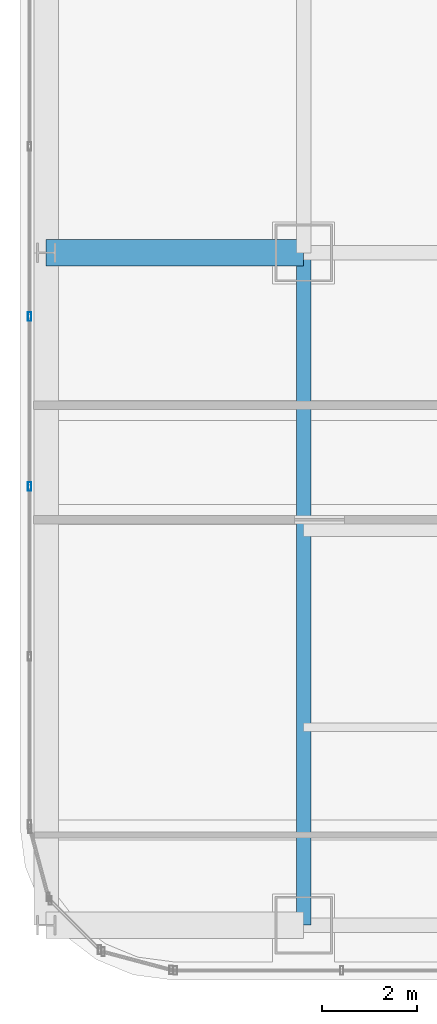
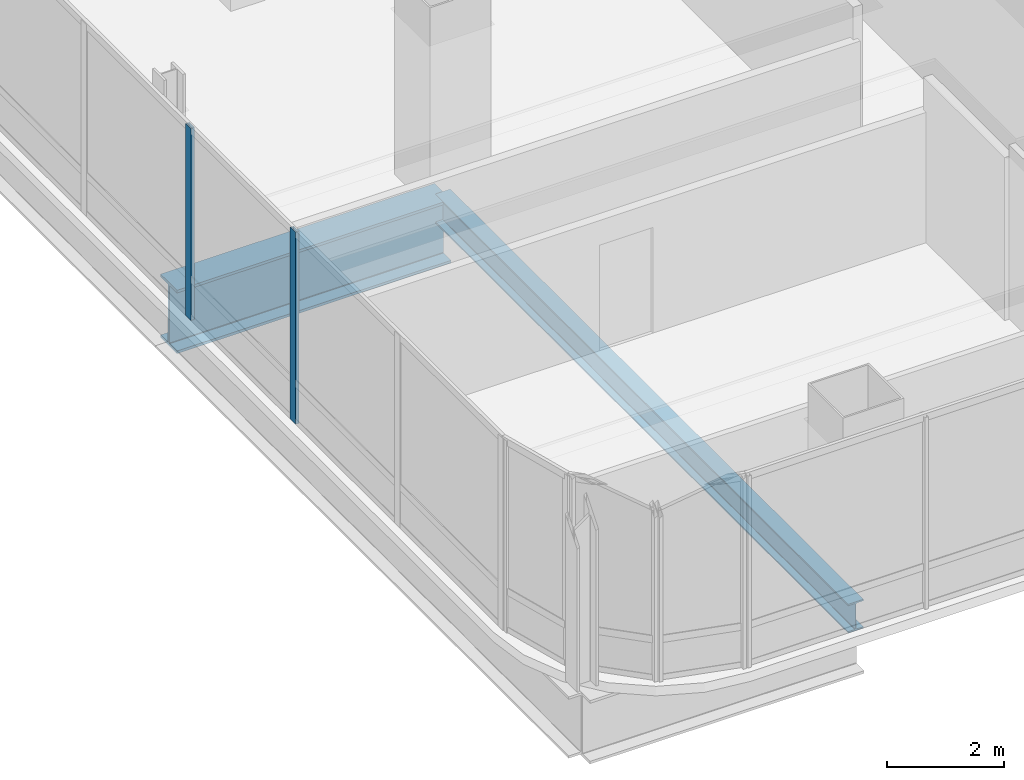
# One storey, part 5 of 41: 2 beams, 2 members, 1 element without a shape of its own.
"""IFC4 building model written with IfcOpenShell, lengths in metres."""

from ifc_helpers import new_model, si_unit, direction, frame, origin, origin_2d, place, context, subcontext, project, spatial, hollow_rectangle, i_section, extrude, material, material_profile, profile_set, type_object, element, aggregate, save


model = new_model("IFC4")

# Units and contexts
model_context = context("Model", 3, precision=1e-05, world=origin(), true_north=direction((0.0, 1.0)))
body_context = subcontext(model_context, "Body", "Model", "MODEL_VIEW")
ifc_project = project(units=[si_unit("LENGTHUNIT", "METRE"), si_unit("AREAUNIT", "SQUARE_METRE"), si_unit("VOLUMEUNIT", "CUBIC_METRE"), si_unit("PLANEANGLEUNIT", "RADIAN"), si_unit("MASSUNIT", "GRAM", prefix="KILO")], contexts=[model_context])

# Site, building, storey
site_placement = place(None, origin())
site = spatial("IfcSite", under=ifc_project, at=site_placement, CompositionType="ELEMENT")
building_placement = place(site_placement, origin())
building = spatial("IfcBuilding", under=site, at=building_placement, Name="Punatoya Terracotta Tower", CompositionType="ELEMENT")
storey_placement = place(building_placement, frame((0.0, 0.0, 288.0)))
storey = spatial("IfcBuildingStorey", under=building, at=storey_placement, Name="L68", CompositionType="ELEMENT", Elevation=288.0)

# Beams
ifc_material_1 = material(Name="Steel S355", Category="steel")
ifc_material_profile_1 = material_profile(ifc_material_1, i_section(OverallWidth=0.300048828125, OverallDepth=0.60009765625, WebThickness=0.015380859375, FlangeThickness=0.030029296875, FilletRadius=0.01806640625, at=origin_2d()))
ifc_profile_set_1 = profile_set([ifc_material_profile_1], Name="Steel S355")
beam_type_1 = type_object("IfcBeamType", Name="BM-PRI-600", PredefinedType="BEAM", material=ifc_profile_set_1)
beam_1_placement = place(storey_placement, frame((-19.10009765625, -17.5, -0.5), z_axis=(0.0, 1.0, 0.0), x_axis=(-1.0, 0.0, 0.0)))
element("IfcBeam", 1, at=beam_1_placement, inside=storey, type_object=beam_type_1, Name="BM-L68-RG-W1", PredefinedType="BEAM", context=body_context, shape_type="SweptSolid", body=[
    extrude(i_section(OverallWidth=0.300048828125, OverallDepth=0.60009765625, WebThickness=0.015380859375, FlangeThickness=0.030029296875, FilletRadius=0.01806640625, at=origin_2d()), origin(), (0.0, 0.0, 1.0), 14.10009765625),
])
ifc_material_2 = material(Name="Steel S460", Category="steel")
ifc_material_profile_2 = material_profile(ifc_material_2, i_section(OverallWidth=0.56005859375, OverallDepth=1.320068359375, WebThickness=0.035888671875, FlangeThickness=0.054931640625, FilletRadius=0.01806640625, at=origin_2d()))
ifc_profile_set_2 = profile_set([ifc_material_profile_2], Name="Steel S460")
beam_type_2 = type_object("IfcBeamType", Name="BM-TG-BLK", PredefinedType="BEAM", material=ifc_profile_set_2)
beam_2_placement = place(storey_placement, frame((-24.5, -3.39990234375, -0.860107421875), z_axis=(1.0, 0.0, 0.0), x_axis=(0.0, 1.0, 0.0)))
element("IfcBeam", 2, at=beam_2_placement, inside=storey, type_object=beam_type_2, Name="BM-L68-CANT-W2", PredefinedType="BEAM", context=body_context, shape_type="SweptSolid", body=[
    extrude(i_section(OverallWidth=0.56005859375, OverallDepth=1.320068359375, WebThickness=0.035888671875, FlangeThickness=0.054931640625, FilletRadius=0.01806640625, at=origin_2d()), origin(), (0.0, 0.0, 1.0), 5.39990234375),
])

# Curtain wall, members
ifc_material_3 = material(Name="Aluminium 6063-T6 + Double Low-E Glass", Category="aluminium")
curtain_wall_type = type_object("IfcCurtainWallType", Name="CW-M3", PredefinedType="NOTDEFINED", material=ifc_material_3)
curtain_wall_placement = place(storey_placement, origin())
curtain_wall = element("IfcCurtainWall", 3, at=curtain_wall_placement, inside=storey, type_object=curtain_wall_type, Name="L68 Curtain Wall CW-L68-W13-1", PredefinedType="NOTDEFINED")
ifc_material_4 = material(Name="Aluminium 6063-T6", Category="aluminium")
ifc_material_profile_3 = material_profile(ifc_material_4, hollow_rectangle(XDim=0.070068359375, YDim=0.179931640625, WallThickness=0.00390625, at=origin_2d()))
ifc_profile_set_3 = profile_set([ifc_material_profile_3], Name="Aluminium 6063-T6")
member_type = type_object("IfcMemberType", Name="CW-MUL-M3", PredefinedType="MULLION", material=ifc_profile_set_3)
member_1_placement = place(storey_placement, frame((-24.85009765625, -4.73486328125, 0.0), z_axis=(0.0, 0.0, 1.0), x_axis=(1.0, 0.0, 0.0)))
member_1 = element("IfcMember", 4, at=member_1_placement, type_object=member_type, Name="CW-L68-W13-1 Mullion 07", PredefinedType="MULLION", context=body_context, shape_type="SweptSolid", body=[
    extrude(hollow_rectangle(XDim=0.070068359375, YDim=0.179931640625, WallThickness=0.00390625, at=origin_2d()), origin(), (0.0, 0.0, 1.0), 4.0),
])
member_2_placement = place(storey_placement, frame((-24.85009765625, -8.302001953125, 0.0), z_axis=(0.0, 0.0, 1.0), x_axis=(1.0, 0.0, 0.0)))
member_2 = element("IfcMember", 5, at=member_2_placement, type_object=member_type, Name="CW-L68-W13-1 Mullion 08", PredefinedType="MULLION", context=body_context, shape_type="SweptSolid", body=[
    extrude(hollow_rectangle(XDim=0.070068359375, YDim=0.179931640625, WallThickness=0.00390625, at=origin_2d()), origin(), (0.0, 0.0, 1.0), 4.0),
])
aggregate(curtain_wall, [member_1, member_2])

save(model, "model.ifc")
